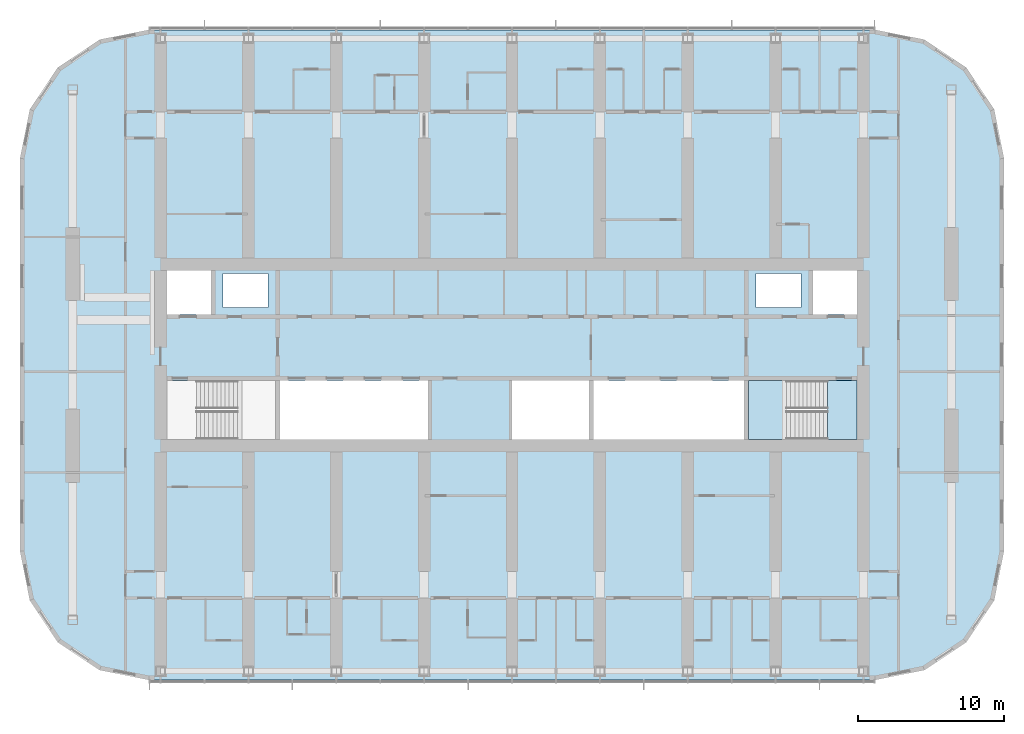
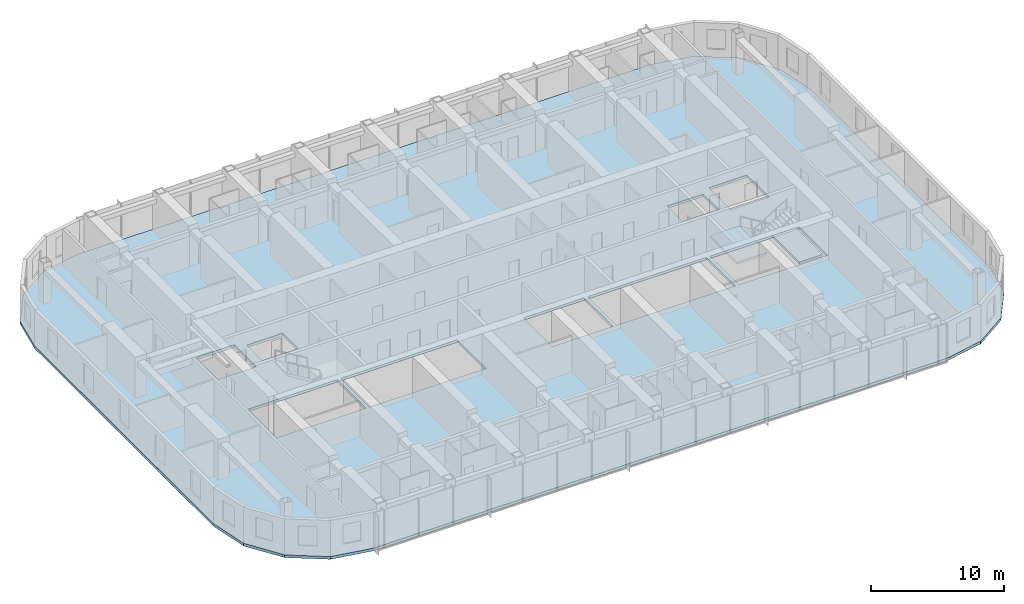
# One storey, part 8 of 23: 3 slabs, 1 element without a shape of its own.
"""IFC4 building model written with IfcOpenShell, lengths in metres."""

from ifc_helpers import new_model, si_unit, direction, frame, origin, place, context, subcontext, project, spatial, polyline, outline, extrude, material, layer, layer_set, type_object, element, aggregate, save


model = new_model("IFC4")

# Units and contexts
model_context = context("Model", 3, precision=1e-05, world=origin(), true_north=direction((0.0, 1.0)))
body_context = subcontext(model_context, "Body", "Model", "MODEL_VIEW")
ifc_project = project(units=[si_unit("LENGTHUNIT", "METRE"), si_unit("AREAUNIT", "SQUARE_METRE"), si_unit("VOLUMEUNIT", "CUBIC_METRE"), si_unit("PLANEANGLEUNIT", "RADIAN"), si_unit("MASSUNIT", "GRAM", prefix="KILO")], contexts=[model_context])

# Site, building, storey
site_placement = place(None, origin())
site = spatial("IfcSite", under=ifc_project, at=site_placement, CompositionType="ELEMENT")
building_placement = place(site_placement, origin())
building = spatial("IfcBuilding", under=site, at=building_placement, Name="Orbita Commons", CompositionType="ELEMENT")
storey_placement = place(building_placement, frame((0.0, 0.0, 174.85009765625)))
storey = spatial("IfcBuildingStorey", under=building, at=storey_placement, Name="L43", CompositionType="ELEMENT", Elevation=174.85009765625)

# Slab
ifc_material_1 = material(Name="Concrete C40/50", Category="concrete")
ifc_layer_1 = layer(ifc_material_1, 0.25)
ifc_layer_set_1 = layer_set([ifc_layer_1], Name="Concrete C40/50")
slab_type_1 = type_object("IfcSlabType", Name="Floor slab 250", PredefinedType="FLOOR", material=ifc_layer_set_1)
slab_1_placement = place(storey_placement, frame((0.0, 0.0, -0.25)))
element("IfcSlab", 1, at=slab_1_placement, inside=storey, type_object=slab_type_1, Name="Floor slab L43", PredefinedType="FLOOR", context=body_context, shape_type="SweptSolid", body=[
    extrude(outline(polyline([(66.800048828125, 9.800048828125), (70.167724609375, 10.469970703125), (73.0224609375, 12.37744140625), (74.93017578125, 15.232421875), (75.60009765625, 18.60009765625), (75.60009765625, 45.39990234375), (74.93017578125, 48.767578125), (73.0224609375, 51.62255859375), (70.167724609375, 53.530029296875), (66.800048828125, 54.199951171875), (17.199951171875, 54.199951171875), (13.832275390625, 53.530029296875), (10.9775390625, 51.62255859375), (9.06982421875, 48.767578125), (8.39990234375, 45.39990234375), (8.39990234375, 18.60009765625), (9.06982421875, 15.232421875), (10.9775390625, 12.37744140625), (13.832275390625, 10.469970703125), (17.199951171875, 9.800048828125), (66.800048828125, 9.800048828125)]), holes=[polyline([(18.14990234375, 25.949951171875), (25.85009765625, 25.949951171875), (25.85009765625, 30.25), (18.14990234375, 30.25), (18.14990234375, 25.949951171875)]), polyline([(58.14990234375, 25.949951171875), (65.85009765625, 25.949951171875), (65.85009765625, 30.25), (58.14990234375, 30.25), (58.14990234375, 25.949951171875)]), polyline([(18.14990234375, 34.75), (21.449951171875, 34.75), (21.449951171875, 38.050048828125), (18.14990234375, 38.050048828125), (18.14990234375, 34.75)]), polyline([(62.550048828125, 34.75), (65.85009765625, 34.75), (65.85009765625, 38.050048828125), (62.550048828125, 38.050048828125), (62.550048828125, 34.75)]), polyline([(22.25, 35.25), (25.35009765625, 35.25), (25.35009765625, 37.550048828125), (22.25, 37.550048828125), (22.25, 35.25)]), polyline([(58.64990234375, 35.25), (61.75, 35.25), (61.75, 37.550048828125), (58.64990234375, 37.550048828125), (58.64990234375, 35.25)]), polyline([(26.14990234375, 25.949951171875), (36.25, 25.949951171875), (36.25, 30.25), (26.14990234375, 30.25), (26.14990234375, 25.949951171875)]), polyline([(42.0, 25.949951171875), (47.25, 25.949951171875), (47.25, 30.25), (42.0, 30.25), (42.0, 25.949951171875)]), polyline([(47.550048828125, 25.949951171875), (57.85009765625, 25.949951171875), (57.85009765625, 30.25), (47.550048828125, 30.25), (47.550048828125, 25.949951171875)])]), origin(), (0.0, 0.0, 1.0), 0.25),
])

# Stair, slabs
ifc_material_2 = material(Name="Precast concrete C40/50", Category="concrete")
stair_type = type_object("IfcStairType", Name="Exit stair S2 2 flights 11 risers 170", PredefinedType="HALF_TURN_STAIR", material=ifc_material_2)
stair_placement = place(storey_placement, origin())
stair = element("IfcStair", 2, at=stair_placement, inside=storey, type_object=stair_type, Name="Exit stair S2 L43", PredefinedType="HALF_TURN_STAIR")
ifc_material_3 = material(Name="Concrete C40/50", Category="concrete")
ifc_layer_2 = layer(ifc_material_3, 0.199951171875)
ifc_layer_set_2 = layer_set([ifc_layer_2], Name="Concrete C40/50")
slab_type_2 = type_object("IfcSlabType", Name="Stair landing 200", PredefinedType="LANDING", material=ifc_layer_set_2)
slab_2_placement = place(storey_placement, frame((0.0, 0.0, -0.2001953125)))
slab_2 = element("IfcSlab", 3, at=slab_2_placement, type_object=slab_type_2, Name="S2 landing 1", PredefinedType="LANDING", context=body_context, shape_type="SweptSolid", body=[
    extrude(outline(polyline([(63.550048828125, 26.22509765625), (65.574951171875, 26.22509765625), (65.574951171875, 30.25), (63.550048828125, 30.25), (63.550048828125, 26.22509765625)])), origin(), (0.0, 0.0, 1.0), 0.2001953125),
])
slab_3_placement = place(storey_placement, frame((0.0, 0.0, 1.6748046875)))
slab_3 = element("IfcSlab", 4, at=slab_3_placement, type_object=slab_type_2, Name="S2 landing 2", PredefinedType="LANDING", context=body_context, shape_type="SweptSolid", body=[
    extrude(outline(polyline([(58.135009765625, 26.2099609375), (60.75, 26.2099609375), (60.75, 30.264892578125), (58.135009765625, 30.264892578125), (58.135009765625, 26.2099609375)])), origin(), (0.0, 0.0, 1.0), 0.2001953125),
])
aggregate(stair, [slab_2, slab_3])

save(model, "model.ifc")
